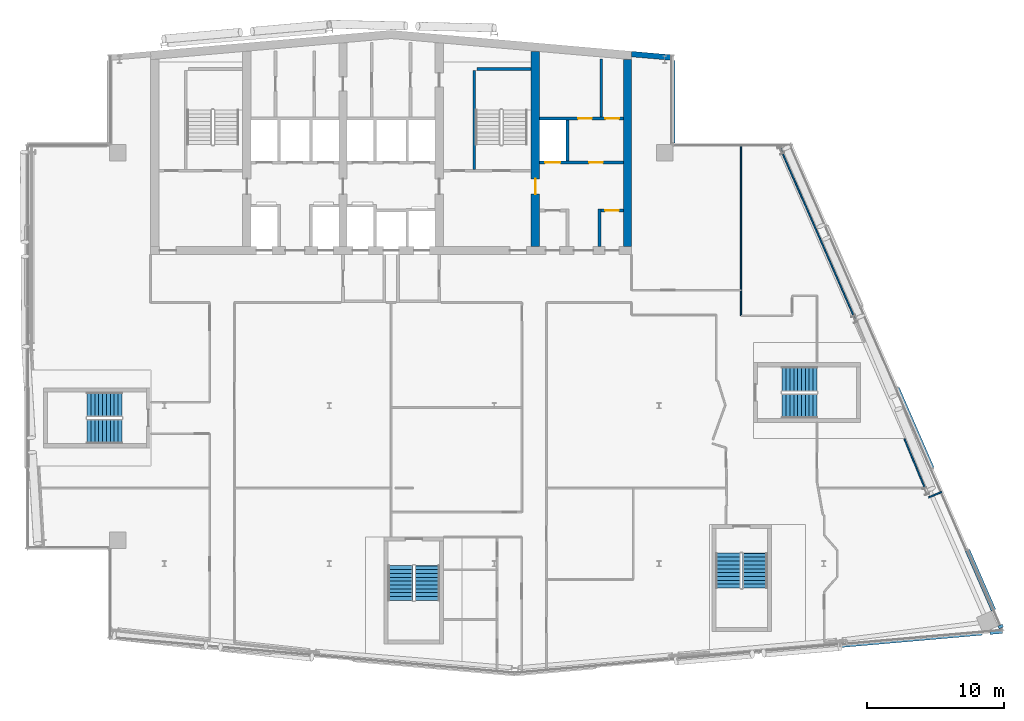
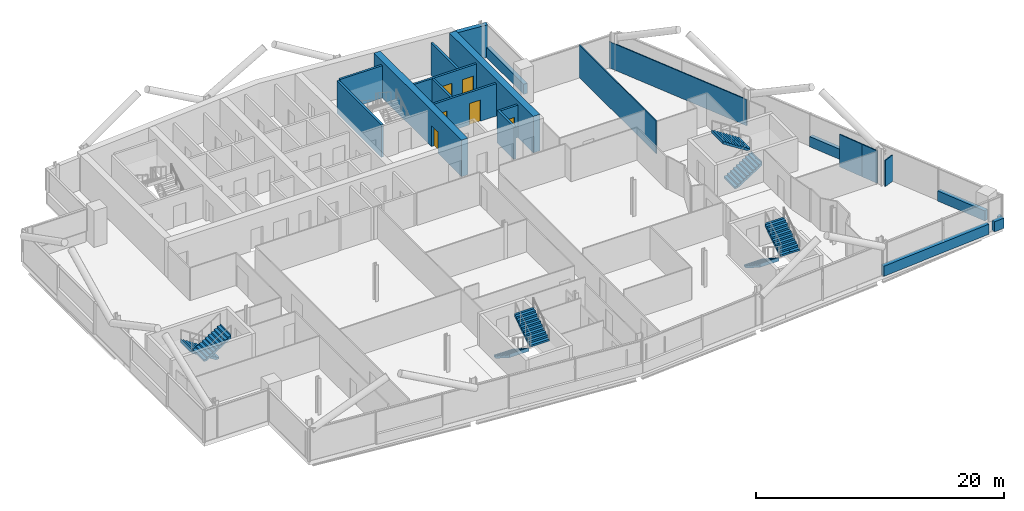
# One storey, part 20 of 28: 22 walls, 8 stair flights, 6 doors, 6 openings, 4 elements without a shape of their own.
"""IFC4 building model written with IfcOpenShell, lengths in metres."""

from ifc_helpers import new_model, si_unit, direction, frame, frame_2d, origin, place, context, subcontext, project, spatial, polyline, rectangle, outline, extrude, material, layer, layer_set, type_object, element, fill, aggregate, save


model = new_model("IFC4")

# Units and contexts
model_context = context("Model", 3, precision=1e-05, world=origin(), true_north=direction((0.0, 1.0)))
body_context = subcontext(model_context, "Body", "Model", "MODEL_VIEW")
ifc_project = project(units=[si_unit("LENGTHUNIT", "METRE"), si_unit("AREAUNIT", "SQUARE_METRE"), si_unit("VOLUMEUNIT", "CUBIC_METRE"), si_unit("PLANEANGLEUNIT", "RADIAN"), si_unit("MASSUNIT", "GRAM", prefix="KILO")], contexts=[model_context])

# Site, building, storey
site_placement = place(None, origin())
site = spatial("IfcSite", under=ifc_project, at=site_placement, CompositionType="ELEMENT")
building_placement = place(site_placement, origin())
building = spatial("IfcBuilding", under=site, at=building_placement, Name="Wharfspan Tower", CompositionType="ELEMENT")
storey_placement = place(building_placement, frame((0.0, 0.0, 250.300049)))
storey = spatial("IfcBuildingStorey", under=building, at=storey_placement, Name="L63", CompositionType="ELEMENT", Elevation=250.300049)

# Wall
ifc_material_1 = material(Name="Gypsum board on steel studs", Category="steel")
ifc_layer_1 = layer(ifc_material_1, 0.100098)
ifc_layer_set_1 = layer_set([ifc_layer_1], Name="Gypsum board on steel studs")
wall_type_1 = type_object("IfcWallType", Name="Compartment wall 100 EI 60", PredefinedType="PARTITIONING", material=ifc_layer_set_1)
wall_1_placement = place(storey_placement, frame((65.969971, 29.544922, 0.0), z_axis=(0.0, 0.0, 1.0), x_axis=(0.0, 1.0, 0.0)))
element("IfcWall", 1, at=wall_1_placement, inside=storey, type_object=wall_type_1, Name="Partition L63.w050", PredefinedType="PARTITIONING", context=body_context, shape_type="SweptSolid", body=[
    extrude(rectangle(XDim=12.435059, YDim=0.100098, at=frame_2d((6.217529, 0.0))), origin(), (0.0, 0.0, 1.0), 3.199951),
])

# Wall, opening, door
ifc_material_2 = material(Name="Calcium silicate masonry", Category="masonry")
ifc_layer_2 = layer(ifc_material_2, 0.199951)
ifc_layer_set_2 = layer_set([ifc_layer_2], Name="Calcium silicate masonry")
wall_type_2 = type_object("IfcWallType", Name="Core room wall 200", PredefinedType="PARTITIONING", material=ifc_layer_set_2)
wall_2_placement = place(storey_placement, frame((55.766602, 37.199951, 0.0), z_axis=(0.0, 0.0, 1.0), x_axis=(1.0, 0.0, 0.0)))
wall_2 = element("IfcWall", 2, at=wall_2_placement, inside=storey, type_object=wall_type_2, Name="sw:L63:FR6.3", PredefinedType="PARTITIONING", context=body_context, shape_type="SweptSolid", body=[
    extrude(rectangle(XDim=1.633301, YDim=0.199951, at=frame_2d((0.81665, 0.0))), origin(), (0.0, 0.0, 1.0), 3.199951),
])
opening_1_placement = place(wall_2_placement, frame((0.31665, 0.0, 0.0)))
opening_1 = element("IfcOpeningElement", 3, at=opening_1_placement, cuts=wall_2, Name="Opening CD63.6H3", PredefinedType="OPENING", context=body_context, shape_type="SweptSolid", body=[
    extrude(rectangle(XDim=1.0, YDim=2.100098, at=frame_2d((0.5, 1.050049))), frame((0.0, 0.109863, 0.0), z_axis=(0.0, -1.0, 0.0), x_axis=(1.0, 0.0, 0.0)), (0.0, 0.0, 1.0), 0.219971),
])
ifc_material_3 = material(Name="Steel door leaf", Category="steel")
door_type_1 = type_object("IfcDoorType", Name="Core room door 1000x2100", OperationType="SINGLE_SWING_LEFT", PredefinedType="DOOR", material=ifc_material_3)
door_1_placement = place(opening_1_placement, origin())
door_1 = element("IfcDoor", 4, at=door_1_placement, inside=storey, type_object=door_type_1, Name="d:L63:6:fh6.3", OperationType="SINGLE_SWING_RIGHT", OverallHeight=2.100098, OverallWidth=1.0, PredefinedType="DOOR", context=body_context, shape_type="SweptSolid", body=[
    extrude(rectangle(XDim=1.0, YDim=2.100098, at=frame_2d((0.5, 1.050049))), frame((0.0, 0.024902, 0.0), z_axis=(0.0, -1.0, 0.0), x_axis=(1.0, 0.0, 0.0)), (0.0, 0.0, 1.0), 0.050049),
])
fill(opening_1, door_1)

# Wall
wall_3_placement = place(storey_placement, frame((55.800049, 44.0, 0.0), z_axis=(0.0, 0.0, 1.0), x_axis=(0.0, 1.0, 0.0)))
element("IfcWall", 5, at=wall_3_placement, inside=storey, type_object=wall_type_2, Name="sw:L63:RP6.1", PredefinedType="PARTITIONING", context=body_context, shape_type="SweptSolid", body=[
    extrude(rectangle(XDim=4.217529, YDim=0.199951, at=frame_2d((2.108887, 0.0))), origin(), (0.0, 0.0, 1.0), 3.199951),
])

# Wall, opening, door
ifc_material_4 = material(Name="Concrete C50/60", Category="concrete")
ifc_layer_3 = layer(ifc_material_4, 0.600098)
ifc_layer_set_3 = layer_set([ifc_layer_3], Name="Concrete C50/60")
wall_type_3 = type_object("IfcWallType", Name="Core wall 600 C50/60", PredefinedType="SHEAR", material=ifc_layer_set_3)
wall_4_placement = place(storey_placement, frame((51.0, 34.600098, 0.0), z_axis=(0.0, 0.0, 1.0), x_axis=(0.0, 1.0, 0.0)))
wall_4 = element("IfcWall", 6, at=wall_4_placement, inside=storey, type_object=wall_type_3, Name="Core cross wall X6 L63", PredefinedType="SHEAR", context=body_context, shape_type="SweptSolid", body=[
    extrude(rectangle(XDim=14.171143, YDim=0.600098, at=frame_2d((7.085449, 0.0))), origin(), (0.0, 0.0, 1.0), 3.599854),
])
opening_2_placement = place(wall_4_placement, frame((3.800049, 0.0, 0.0)))
opening_2 = element("IfcOpeningElement", 7, at=opening_2_placement, cuts=wall_4, Name="Opening CC63.6", PredefinedType="OPENING", context=body_context, shape_type="SweptSolid", body=[
    extrude(rectangle(XDim=1.100098, YDim=2.100098, at=frame_2d((0.550049, 1.050049))), frame((0.0, 0.310059, 0.0), z_axis=(0.0, -1.0, 0.0), x_axis=(1.0, 0.0, 0.0)), (0.0, 0.0, 1.0), 0.620117),
])
door_type_2 = type_object("IfcDoorType", Name="Core corridor door 1100x2100", OperationType="SINGLE_SWING_LEFT", PredefinedType="DOOR", material=ifc_material_3)
door_2_placement = place(opening_2_placement, origin())
door_2 = element("IfcDoor", 8, at=door_2_placement, inside=storey, type_object=door_type_2, Name="xd:L63:6", OperationType="SINGLE_SWING_RIGHT", OverallHeight=2.100098, OverallWidth=1.100098, PredefinedType="DOOR", context=body_context, shape_type="SweptSolid", body=[
    extrude(rectangle(XDim=1.100098, YDim=2.100098, at=frame_2d((0.550049, 1.050049))), frame((0.0, 0.024902, 0.0), z_axis=(0.0, -1.0, 0.0), x_axis=(1.0, 0.0, 0.0)), (0.0, 0.0, 1.0), 0.050049),
])
fill(opening_2, door_2)

# Wall
wall_5_placement = place(storey_placement, frame((57.699951, 34.600098, 0.0), z_axis=(0.0, 0.0, 1.0), x_axis=(0.0, 1.0, 0.0)))
element("IfcWall", 9, at=wall_5_placement, inside=storey, type_object=wall_type_3, Name="Core cross wall EW1 L63", PredefinedType="SHEAR", context=body_context, shape_type="SweptSolid", body=[
    extrude(rectangle(XDim=13.584961, YDim=0.600098, at=frame_2d((6.79248, 0.0))), origin(), (0.0, 0.0, 1.0), 3.599854),
])

# Wall, openings, doors
ifc_material_5 = material(Name="Concrete C30/37", Category="concrete")
ifc_layer_4 = layer(ifc_material_5, 0.199951)
ifc_layer_set_4 = layer_set([ifc_layer_4], Name="Concrete C30/37")
wall_type_4 = type_object("IfcWallType", Name="Lift shaft wall 200", PredefinedType="PARTITIONING", material=ifc_layer_set_4)
wall_6_placement = place(storey_placement, frame((51.300049, 40.699951, 0.0), z_axis=(0.0, 0.0, 1.0), x_axis=(1.0, 0.0, 0.0)))
wall_6 = element("IfcWall", 10, at=wall_6_placement, inside=storey, type_object=wall_type_4, Name="sw:L63:RF6", PredefinedType="PARTITIONING", context=body_context, shape_type="SweptSolid", body=[
    extrude(rectangle(XDim=6.099854, YDim=0.199951, at=frame_2d((3.049805, 0.0))), origin(), (0.0, 0.0, 1.0), 3.199951),
])
opening_3_placement = place(wall_6_placement, frame((0.416748, 0.0, 0.0)))
opening_3 = element("IfcOpeningElement", 11, at=opening_3_placement, cuts=wall_6, Name="Opening LD.LB8.L63", PredefinedType="OPENING", context=body_context, shape_type="SweptSolid", body=[
    extrude(rectangle(XDim=1.100098, YDim=2.100098, at=frame_2d((0.550049, 1.050049))), frame((0.0, 0.109863, 0.0), z_axis=(0.0, -1.0, 0.0), x_axis=(1.0, 0.0, 0.0)), (0.0, 0.0, 1.0), 0.219971),
])
opening_4_placement = place(wall_6_placement, frame((3.616699, 0.0, 0.0)))
opening_4 = element("IfcOpeningElement", 12, at=opening_4_placement, cuts=wall_6, Name="Opening CD63.6R2", PredefinedType="OPENING", context=body_context, shape_type="SweptSolid", body=[
    extrude(rectangle(XDim=1.0, YDim=2.100098, at=frame_2d((0.5, 1.050049))), frame((0.0, 0.109863, 0.0), z_axis=(0.0, -1.0, 0.0), x_axis=(1.0, 0.0, 0.0)), (0.0, 0.0, 1.0), 0.219971),
])
door_3_placement = place(opening_4_placement, origin())
door_3 = element("IfcDoor", 13, at=door_3_placement, inside=storey, type_object=door_type_1, Name="d:L63:6:rd6.2", OperationType="SINGLE_SWING_RIGHT", OverallHeight=2.100098, OverallWidth=1.0, PredefinedType="DOOR", context=body_context, shape_type="SweptSolid", body=[
    extrude(rectangle(XDim=1.0, YDim=2.100098, at=frame_2d((0.5, 1.050049))), frame((0.0, 0.024902, 0.0), z_axis=(0.0, -1.0, 0.0), x_axis=(1.0, 0.0, 0.0)), (0.0, 0.0, 1.0), 0.050049),
])
fill(opening_4, door_3)
ifc_material_6 = material(Name="Stainless steel", Category="steel")
door_type_3 = type_object("IfcDoorType", Name="Lift landing door 1100x2100", OperationType="DOUBLE_DOOR_SLIDING", PredefinedType="DOOR", material=ifc_material_6)
door_4_placement = place(opening_3_placement, origin())
door_4 = element("IfcDoor", 14, at=door_4_placement, inside=storey, type_object=door_type_3, Name="Landing door LB8 L63", OperationType="DOUBLE_DOOR_SLIDING", OverallHeight=2.100098, OverallWidth=1.100098, PredefinedType="DOOR", context=body_context, shape_type="SweptSolid", body=[
    extrude(rectangle(XDim=1.100098, YDim=2.100098, at=frame_2d((0.550049, 1.050049))), frame((0.0, 0.024902, 0.0), z_axis=(0.0, -1.0, 0.0), x_axis=(1.0, 0.0, 0.0)), (0.0, 0.0, 1.0), 0.050049),
])
fill(opening_3, door_4)

wall_7_placement = place(storey_placement, frame((51.300049, 43.899902, 0.0), z_axis=(0.0, 0.0, 1.0), x_axis=(1.0, 0.0, 0.0)))
wall_7 = element("IfcWall", 15, at=wall_7_placement, inside=storey, type_object=wall_type_4, Name="sw:L63:RR6", PredefinedType="PARTITIONING", context=body_context, shape_type="SweptSolid", body=[
    extrude(rectangle(XDim=6.099854, YDim=0.199951, at=frame_2d((3.049805, 0.0))), origin(), (0.0, 0.0, 1.0), 3.199951),
])
opening_5_placement = place(wall_7_placement, frame((2.81665, 0.0, 0.0)))
opening_5 = element("IfcOpeningElement", 16, at=opening_5_placement, cuts=wall_7, Name="Opening CD63.6S2", PredefinedType="OPENING", context=body_context, shape_type="SweptSolid", body=[
    extrude(rectangle(XDim=1.0, YDim=2.100098, at=frame_2d((0.5, 1.050049))), frame((0.0, 0.109863, 0.0), z_axis=(0.0, -1.0, 0.0), x_axis=(1.0, 0.0, 0.0)), (0.0, 0.0, 1.0), 0.219971),
])
opening_6_placement = place(wall_7_placement, frame((4.800049, 0.0, 0.0)))
opening_6 = element("IfcOpeningElement", 17, at=opening_6_placement, cuts=wall_7, Name="Opening CD63.6S2a", PredefinedType="OPENING", context=body_context, shape_type="SweptSolid", body=[
    extrude(rectangle(XDim=1.0, YDim=2.100098, at=frame_2d((0.5, 1.050049))), frame((0.0, 0.109863, 0.0), z_axis=(0.0, -1.0, 0.0), x_axis=(1.0, 0.0, 0.0)), (0.0, 0.0, 1.0), 0.219971),
])
door_5_placement = place(opening_5_placement, origin())
door_5 = element("IfcDoor", 18, at=door_5_placement, inside=storey, type_object=door_type_1, Name="d:L63:6:rs6.2", OperationType="SINGLE_SWING_LEFT", OverallHeight=2.100098, OverallWidth=1.0, PredefinedType="DOOR", context=body_context, shape_type="SweptSolid", body=[
    extrude(rectangle(XDim=1.0, YDim=2.100098, at=frame_2d((0.5, 1.050049))), frame((0.0, 0.024902, 0.0), z_axis=(0.0, -1.0, 0.0), x_axis=(1.0, 0.0, 0.0)), (0.0, 0.0, 1.0), 0.050049),
])
fill(opening_5, door_5)
door_6_placement = place(opening_6_placement, origin())
door_6 = element("IfcDoor", 19, at=door_6_placement, inside=storey, type_object=door_type_1, Name="d:L63:6:rs6.2a", OperationType="SINGLE_SWING_LEFT", OverallHeight=2.100098, OverallWidth=1.0, PredefinedType="DOOR", context=body_context, shape_type="SweptSolid", body=[
    extrude(rectangle(XDim=1.0, YDim=2.100098, at=frame_2d((0.5, 1.050049))), frame((0.0, 0.024902, 0.0), z_axis=(0.0, -1.0, 0.0), x_axis=(1.0, 0.0, 0.0)), (0.0, 0.0, 1.0), 0.050049),
])
fill(opening_6, door_6)

# Walls
wall_8_placement = place(storey_placement, frame((0.0, 0.0, -0.000244)))
element("IfcWall", 20, at=wall_8_placement, inside=storey, type_object=wall_type_4, Name="sw:L63:FM6.1", PredefinedType="PARTITIONING", context=body_context, shape_type="SweptSolid", body=[
    extrude(outline(polyline([(55.56665, 34.600098), (55.56665, 37.300049), (55.766602, 37.300049), (55.766602, 34.600098), (55.56665, 34.600098)])), origin(), (0.0, 0.0, 1.0), 3.200195),
])
wall_9_placement = place(storey_placement, frame((0.0, 0.0, -0.000244)))
element("IfcWall", 21, at=wall_9_placement, inside=storey, type_object=wall_type_4, Name="sw:L63:RM6.0", PredefinedType="PARTITIONING", context=body_context, shape_type="SweptSolid", body=[
    extrude(outline(polyline([(53.43335, 40.800049), (53.43335, 43.800049), (53.233398, 43.800049), (53.233398, 40.800049), (53.43335, 40.800049)])), origin(), (0.0, 0.0, 1.0), 3.200195),
])
ifc_layer_5 = layer(ifc_material_1, 0.100098)
ifc_layer_set_5 = layer_set([ifc_layer_5], Name="Gypsum board on steel studs")
wall_type_5 = type_object("IfcWallType", Name="Partition 100", PredefinedType="PARTITIONING", material=ifc_layer_set_5)
wall_10_placement = place(storey_placement, frame((74.264893, 29.310059, 0.0), z_axis=(0.0, 0.0, 1.0), x_axis=(-0.400709, 0.916209, 0.0)))
element("IfcWall", 22, at=wall_10_placement, inside=storey, type_object=wall_type_5, Name="Partition L63.w066", PredefinedType="PARTITIONING", context=body_context, shape_type="SweptSolid", body=[
    extrude(rectangle(XDim=13.828613, YDim=0.100098, at=frame_2d((6.914307, 0.0))), origin(), (0.0, 0.0, 1.0), 2.579834),
])
wall_11_placement = place(storey_placement, frame((78.75, 18.445068, 0.0), z_axis=(0.0, 0.0, 1.0), x_axis=(-0.381663, 0.924299, 0.0)))
element("IfcWall", 23, at=wall_11_placement, inside=storey, type_object=wall_type_5, Name="Partition L63.w068", PredefinedType="PARTITIONING", context=body_context, shape_type="SweptSolid", body=[
    extrude(rectangle(XDim=2.309814, YDim=0.100098, at=frame_2d((1.154785, 0.0))), origin(), (0.0, 0.0, 1.0), 3.199951),
])
wall_12_placement = place(storey_placement, frame((79.350098, 17.004883, 0.0), z_axis=(0.0, 0.0, 1.0), x_axis=(-0.383703, 0.923459, 0.0)))
element("IfcWall", 24, at=wall_12_placement, inside=storey, type_object=wall_type_5, Name="Partition L63.w069", PredefinedType="PARTITIONING", context=body_context, shape_type="SweptSolid", body=[
    extrude(rectangle(XDim=1.537842, YDim=0.100098, at=frame_2d((0.769043, 0.0))), origin(), (0.0, 0.0, 1.0), 3.199951),
])
wall_13_placement = place(storey_placement, frame((79.629883, 16.314941, 0.0), z_axis=(0.0, 0.0, 1.0), x_axis=(0.918616, 0.395147, 0.0)))
element("IfcWall", 25, at=wall_13_placement, inside=storey, type_object=wall_type_5, Name="Partition L63.w070", PredefinedType="PARTITIONING", context=body_context, shape_type="SweptSolid", body=[
    extrude(rectangle(XDim=1.03125, YDim=0.100098, at=frame_2d((0.515625, 0.0))), origin(), (0.0, 0.0, 1.0), 2.579834),
])
ifc_material_7 = material(Name="Concrete C40/50", Category="concrete")
ifc_layer_6 = layer(ifc_material_7, 0.350098)
ifc_layer_set_6 = layer_set([ifc_layer_6], Name="Concrete C40/50")
wall_type_6 = type_object("IfcWallType", Name="SPANDREL EXPOSED CONCRETE 350", PredefinedType="SOLIDWALL", material=ifc_layer_set_6)
wall_14_placement = place(storey_placement, frame((73.197021, 5.562256, 0.0), z_axis=(0.0, 0.0, 1.0), x_axis=(0.996198, 0.087163, 0.0)))
element("IfcWall", 26, at=wall_14_placement, inside=storey, type_object=wall_type_6, Name="Spandrel upstand L63 S2 2", PredefinedType="SOLIDWALL", context=body_context, shape_type="SweptSolid", body=[
    extrude(rectangle(XDim=10.35791, YDim=0.350098, at=frame_2d((5.178955, 0.0))), origin(), (0.0, 0.0, 1.0), 1.0),
])
wall_15_placement = place(storey_placement, frame((84.077637, 6.514404, 0.0), z_axis=(0.0, 0.0, 1.0), x_axis=(0.996213, 0.086971, 0.0)))
element("IfcWall", 27, at=wall_15_placement, inside=storey, type_object=wall_type_6, Name="Spandrel upstand L63 S2 3", PredefinedType="SOLIDWALL", context=body_context, shape_type="SweptSolid", body=[
    extrude(rectangle(XDim=0.92627, YDim=0.350098, at=frame_2d((0.463135, 0.0))), origin(), (0.0, 0.0, 1.0), 1.0),
])
wall_16_placement = place(storey_placement, frame((84.9104, 6.818604, 0.0), z_axis=(0.0, 0.0, 1.0), x_axis=(-0.398359, 0.91723, 0.0)))
element("IfcWall", 28, at=wall_16_placement, inside=storey, type_object=wall_type_6, Name="Spandrel upstand L63 E 1", PredefinedType="SOLIDWALL", context=body_context, shape_type="SweptSolid", body=[
    extrude(rectangle(XDim=0.21875, YDim=0.350098, at=frame_2d((0.109375, 0.0))), origin(), (0.0, 0.0, 1.0), 1.0),
])
wall_17_placement = place(storey_placement, frame((84.344727, 8.119873, 0.0), z_axis=(0.0, 0.0, 1.0), x_axis=(-0.398736, 0.917067, 0.0)))
element("IfcWall", 29, at=wall_17_placement, inside=storey, type_object=wall_type_6, Name="Spandrel upstand L63 E 2", PredefinedType="SOLIDWALL", context=body_context, shape_type="SweptSolid", body=[
    extrude(rectangle(XDim=4.748291, YDim=0.350098, at=frame_2d((2.374023, 0.0))), origin(), (0.0, 0.0, 1.0), 1.0),
])
wall_18_placement = place(storey_placement, frame((79.862305, 18.429443, 0.0), z_axis=(0.0, 0.0, 1.0), x_axis=(-0.398755, 0.91706, 0.0)))
element("IfcWall", 30, at=wall_18_placement, inside=storey, type_object=wall_type_6, Name="Spandrel upstand L63 E 3", PredefinedType="SOLIDWALL", context=body_context, shape_type="SweptSolid", body=[
    extrude(rectangle(XDim=6.373535, YDim=0.350098, at=frame_2d((3.186768, 0.0))), origin(), (0.0, 0.0, 1.0), 1.0),
])
wall_19_placement = place(storey_placement, frame((61.004883, 42.120117, 0.0), z_axis=(0.0, 0.0, 1.0), x_axis=(0.0, 1.0, 0.0)))
element("IfcWall", 31, at=wall_19_placement, inside=storey, type_object=wall_type_6, Name="Spandrel upstand L63 NRE-V", PredefinedType="SOLIDWALL", context=body_context, shape_type="SweptSolid", body=[
    extrude(rectangle(XDim=6.006348, YDim=0.350098, at=frame_2d((3.003174, 0.0))), origin(), (0.0, 0.0, 1.0), 1.0),
])
ifc_layer_7 = layer(ifc_material_7, 0.199951)
ifc_layer_set_7 = layer_set([ifc_layer_7], Name="Concrete C40/50")
wall_type_7 = type_object("IfcWallType", Name="Stair shaft wall 200", PredefinedType="SHEAR", material=ifc_layer_set_7)
wall_20_placement = place(storey_placement, frame((46.550049, 40.199951, 0.0), z_axis=(0.0, 0.0, 1.0), x_axis=(0.0, 1.0, 0.0)))
element("IfcWall", 32, at=wall_20_placement, inside=storey, type_object=wall_type_7, Name="ST2 stair enclosure wall L63", PredefinedType="SHEAR", context=body_context, shape_type="SweptSolid", body=[
    extrude(rectangle(XDim=7.199951, YDim=0.199951, at=frame_2d((3.600098, 0.0))), origin(), (0.0, 0.0, 1.0), 3.199951),
])
wall_21_placement = place(storey_placement, frame((46.75, 47.5, 0.0), z_axis=(0.0, 0.0, 1.0), x_axis=(1.0, 0.0, 0.0)))
element("IfcWall", 33, at=wall_21_placement, inside=storey, type_object=wall_type_7, Name="ST2 stair enclosure wall L63", PredefinedType="SHEAR", context=body_context, shape_type="SweptSolid", body=[
    extrude(rectangle(XDim=3.949951, YDim=0.199951, at=frame_2d((1.975098, 0.0))), origin(), (0.0, 0.0, 1.0), 3.199951),
])
ifc_layer_8 = layer(ifc_material_7, 0.399902)
ifc_layer_set_8 = layer_set([ifc_layer_8], Name="Concrete C40/50")
wall_type_8 = type_object("IfcWallType", Name="WALL EXPOSED CONCRETE 400", PredefinedType="SOLIDWALL", material=ifc_layer_set_8)
wall_22_placement = place(storey_placement, frame((60.982666, 48.325684, 0.0), z_axis=(0.0, 0.0, 1.0), x_axis=(-0.996194, 0.087168, 0.0)))
element("IfcWall", 34, at=wall_22_placement, inside=storey, type_object=wall_type_8, Name="Rear wall N2", PredefinedType="SOLIDWALL", context=body_context, shape_type="SweptSolid", body=[
    extrude(rectangle(XDim=2.994141, YDim=0.399902, at=frame_2d((1.49707, 0.0))), origin(), (0.0, 0.0, 1.0), 3.199951),
])

# Stair, stair flights
stair_type = type_object("IfcStairType", Name="Half-turn stair 20 risers 180 mm", PredefinedType="HALF_TURN_STAIR", material=ifc_material_7)
stair_1_placement = place(storey_placement, origin())
stair_1 = element("IfcStair", 35, at=stair_1_placement, inside=storey, type_object=stair_type, Name="L63 stair ST3", PredefinedType="HALF_TURN_STAIR")
stair_flight_type = type_object("IfcStairFlightType", Name="Stair flight 20 risers 180 mm", PredefinedType="STRAIGHT", material=ifc_material_7)
stair_flight_1_placement = place(storey_placement, frame((20.899902, 23.074951, 0.0), z_axis=(0.0, 0.0, 1.0), x_axis=(-1.0, 0.0, 0.0)))
stair_flight_1 = element("IfcStairFlight", 36, at=stair_flight_1_placement, type_object=stair_flight_type, Name="ST3 flight 1", NumberOfRisers=10, NumberOfTreads=9, PredefinedType="STRAIGHT", RiserHeight=0.18, TreadLength=0.28, context=body_context, shape_type="SweptSolid", body=[
    extrude(outline(polyline([(-0.011963, 0.0), (-0.011963, 0.179932), (0.0, 0.179932), (0.280029, 0.179932), (0.280029, 0.360107), (0.560059, 0.360107), (0.560059, 0.540039), (0.840088, 0.540039), (0.840088, 0.719971), (1.120117, 0.719971), (1.120117, 0.899902), (1.399902, 0.899902), (1.399902, 1.080078), (1.679932, 1.080078), (1.679932, 1.26001), (1.959961, 1.26001), (1.959961, 1.439941), (2.23999, 1.439941), (2.23999, 1.620117), (2.52002, 1.620117), (2.531982, 1.800049), (2.531982, 1.441895), (0.2771, 0.0), (-0.011963, 0.0)])), frame((0.0, 0.899902, 0.0), z_axis=(0.0, -1.0, 0.0), x_axis=(1.0, 0.0, 0.0)), (0.0, 0.0, 1.0), 0.899414),
    extrude(outline(polyline([(-0.011963, 0.0), (-0.011963, 0.179932), (0.0, 0.179932), (0.280029, 0.179932), (0.280029, 0.360107), (0.560059, 0.360107), (0.560059, 0.540039), (0.840088, 0.540039), (0.840088, 0.719971), (1.120117, 0.719971), (1.120117, 0.899902), (1.399902, 0.899902), (1.399902, 1.080078), (1.679932, 1.080078), (1.679932, 1.26001), (1.959961, 1.26001), (1.959961, 1.439941), (2.23999, 1.439941), (2.23999, 1.620117), (2.52002, 1.620117), (2.531982, 1.800049), (2.531982, 1.441895), (0.2771, 0.0), (-0.011963, 0.0)])), frame((0.0, -0.000488, 0.0), z_axis=(0.0, -1.0, 0.0), x_axis=(1.0, 0.0, 0.0)), (0.0, 0.0, 1.0), 0.899414),
])
stair_flight_2_placement = place(storey_placement, frame((18.379883, 21.125, 1.800049), z_axis=(0.0, 0.0, 1.0), x_axis=(1.0, 0.0, 0.0)))
stair_flight_2 = element("IfcStairFlight", 37, at=stair_flight_2_placement, type_object=stair_flight_type, Name="ST3 flight 2", NumberOfRisers=10, NumberOfTreads=9, PredefinedType="STRAIGHT", RiserHeight=0.18, TreadLength=0.28, context=body_context, shape_type="SweptSolid", body=[
    extrude(outline(polyline([(-0.011963, 0.0), (-0.011963, 0.179932), (0.0, 0.179932), (0.280029, 0.179932), (0.280029, 0.360107), (0.560059, 0.360107), (0.560059, 0.540039), (0.840088, 0.540039), (0.840088, 0.719971), (1.120117, 0.719971), (1.120117, 0.899902), (1.399902, 0.899902), (1.399902, 1.080078), (1.679932, 1.080078), (1.679932, 1.26001), (1.959961, 1.26001), (1.959961, 1.439941), (2.23999, 1.439941), (2.23999, 1.620117), (2.52002, 1.620117), (2.531982, 1.800049), (2.531982, 1.441895), (0.2771, 0.0), (-0.011963, 0.0)])), frame((0.0, 0.899902, 0.0), z_axis=(0.0, -1.0, 0.0), x_axis=(1.0, 0.0, 0.0)), (0.0, 0.0, 1.0), 0.899414),
    extrude(outline(polyline([(-0.011963, 0.0), (-0.011963, 0.179932), (0.0, 0.179932), (0.280029, 0.179932), (0.280029, 0.360107), (0.560059, 0.360107), (0.560059, 0.540039), (0.840088, 0.540039), (0.840088, 0.719971), (1.120117, 0.719971), (1.120117, 0.899902), (1.399902, 0.899902), (1.399902, 1.080078), (1.679932, 1.080078), (1.679932, 1.26001), (1.959961, 1.26001), (1.959961, 1.439941), (2.23999, 1.439941), (2.23999, 1.620117), (2.52002, 1.620117), (2.531982, 1.800049), (2.531982, 1.441895), (0.2771, 0.0), (-0.011963, 0.0)])), frame((0.0, -0.000488, 0.0), z_axis=(0.0, -1.0, 0.0), x_axis=(1.0, 0.0, 0.0)), (0.0, 0.0, 1.0), 0.899414),
])
aggregate(stair_1, [stair_flight_1, stair_flight_2])

stair_2_placement = place(storey_placement, origin())
stair_2 = element("IfcStair", 38, at=stair_2_placement, inside=storey, type_object=stair_type, Name="L63 stair ST4", PredefinedType="HALF_TURN_STAIR")
stair_flight_3_placement = place(storey_placement, frame((41.177002, 11.343262, 0.0), z_axis=(0.0, 0.0, 1.0), x_axis=(0.0, -1.0, 0.0)))
stair_flight_3 = element("IfcStairFlight", 39, at=stair_flight_3_placement, type_object=stair_flight_type, Name="ST4 flight 1", NumberOfRisers=10, NumberOfTreads=9, PredefinedType="STRAIGHT", RiserHeight=0.18, TreadLength=0.28, context=body_context, shape_type="SweptSolid", body=[
    extrude(outline(polyline([(-0.011963, 0.0), (-0.011963, 0.179932), (0.0, 0.179932), (0.280029, 0.179932), (0.280029, 0.360107), (0.560059, 0.360107), (0.560059, 0.540039), (0.840088, 0.540039), (0.840088, 0.719971), (1.120117, 0.719971), (1.120117, 0.899902), (1.399902, 0.899902), (1.399902, 1.080078), (1.679932, 1.080078), (1.679932, 1.26001), (1.959961, 1.26001), (1.959961, 1.439941), (2.23999, 1.439941), (2.23999, 1.620117), (2.52002, 1.620117), (2.531982, 1.800049), (2.531982, 1.441895), (0.2771, 0.0), (-0.011963, 0.0)])), frame((0.0, 0.899902, 0.0), z_axis=(0.0, -1.0, 0.0), x_axis=(1.0, 0.0, 0.0)), (0.0, 0.0, 1.0), 0.899414),
    extrude(outline(polyline([(-0.011963, 0.0), (-0.011963, 0.179932), (0.0, 0.179932), (0.280029, 0.179932), (0.280029, 0.360107), (0.560059, 0.360107), (0.560059, 0.540039), (0.840088, 0.540039), (0.840088, 0.719971), (1.120117, 0.719971), (1.120117, 0.899902), (1.399902, 0.899902), (1.399902, 1.080078), (1.679932, 1.080078), (1.679932, 1.26001), (1.959961, 1.26001), (1.959961, 1.439941), (2.23999, 1.439941), (2.23999, 1.620117), (2.52002, 1.620117), (2.531982, 1.800049), (2.531982, 1.441895), (0.2771, 0.0), (-0.011963, 0.0)])), frame((0.0, -0.000488, 0.0), z_axis=(0.0, -1.0, 0.0), x_axis=(1.0, 0.0, 0.0)), (0.0, 0.0, 1.0), 0.899414),
])
stair_flight_4_placement = place(storey_placement, frame((43.127197, 8.823242, 1.800049), z_axis=(0.0, 0.0, 1.0), x_axis=(0.0, 1.0, 0.0)))
stair_flight_4 = element("IfcStairFlight", 40, at=stair_flight_4_placement, type_object=stair_flight_type, Name="ST4 flight 2", NumberOfRisers=10, NumberOfTreads=9, PredefinedType="STRAIGHT", RiserHeight=0.18, TreadLength=0.28, context=body_context, shape_type="SweptSolid", body=[
    extrude(outline(polyline([(-0.011963, 0.0), (-0.011963, 0.179932), (0.0, 0.179932), (0.280029, 0.179932), (0.280029, 0.360107), (0.560059, 0.360107), (0.560059, 0.540039), (0.840088, 0.540039), (0.840088, 0.719971), (1.120117, 0.719971), (1.120117, 0.899902), (1.399902, 0.899902), (1.399902, 1.080078), (1.679932, 1.080078), (1.679932, 1.26001), (1.959961, 1.26001), (1.959961, 1.439941), (2.23999, 1.439941), (2.23999, 1.620117), (2.52002, 1.620117), (2.531982, 1.800049), (2.531982, 1.441895), (0.2771, 0.0), (-0.011963, 0.0)])), frame((0.0, 0.899902, 0.0), z_axis=(0.0, -1.0, 0.0), x_axis=(1.0, 0.0, 0.0)), (0.0, 0.0, 1.0), 0.899414),
    extrude(outline(polyline([(-0.011963, 0.0), (-0.011963, 0.179932), (0.0, 0.179932), (0.280029, 0.179932), (0.280029, 0.360107), (0.560059, 0.360107), (0.560059, 0.540039), (0.840088, 0.540039), (0.840088, 0.719971), (1.120117, 0.719971), (1.120117, 0.899902), (1.399902, 0.899902), (1.399902, 1.080078), (1.679932, 1.080078), (1.679932, 1.26001), (1.959961, 1.26001), (1.959961, 1.439941), (2.23999, 1.439941), (2.23999, 1.620117), (2.52002, 1.620117), (2.531982, 1.800049), (2.531982, 1.441895), (0.2771, 0.0), (-0.011963, 0.0)])), frame((0.0, -0.000488, 0.0), z_axis=(0.0, -1.0, 0.0), x_axis=(1.0, 0.0, 0.0)), (0.0, 0.0, 1.0), 0.899414),
])
aggregate(stair_2, [stair_flight_3, stair_flight_4])

stair_3_placement = place(storey_placement, origin())
stair_3 = element("IfcStair", 41, at=stair_3_placement, inside=storey, type_object=stair_type, Name="L63 stair ST5", PredefinedType="HALF_TURN_STAIR")
stair_flight_5_placement = place(storey_placement, frame((65.043701, 12.246094, 0.0), z_axis=(0.0, 0.0, 1.0), x_axis=(0.0, -1.0, 0.0)))
stair_flight_5 = element("IfcStairFlight", 42, at=stair_flight_5_placement, type_object=stair_flight_type, Name="ST5 flight 1", NumberOfRisers=10, NumberOfTreads=9, PredefinedType="STRAIGHT", RiserHeight=0.18, TreadLength=0.28, context=body_context, shape_type="SweptSolid", body=[
    extrude(outline(polyline([(-0.011963, 0.0), (-0.011963, 0.179932), (0.0, 0.179932), (0.280029, 0.179932), (0.280029, 0.360107), (0.560059, 0.360107), (0.560059, 0.540039), (0.840088, 0.540039), (0.840088, 0.719971), (1.120117, 0.719971), (1.120117, 0.899902), (1.399902, 0.899902), (1.399902, 1.080078), (1.679932, 1.080078), (1.679932, 1.26001), (1.959961, 1.26001), (1.959961, 1.439941), (2.23999, 1.439941), (2.23999, 1.620117), (2.52002, 1.620117), (2.531982, 1.800049), (2.531982, 1.441895), (0.2771, 0.0), (-0.011963, 0.0)])), frame((0.0, 0.899902, 0.0), z_axis=(0.0, -1.0, 0.0), x_axis=(1.0, 0.0, 0.0)), (0.0, 0.0, 1.0), 0.899414),
    extrude(outline(polyline([(-0.011963, 0.0), (-0.011963, 0.179932), (0.0, 0.179932), (0.280029, 0.179932), (0.280029, 0.360107), (0.560059, 0.360107), (0.560059, 0.540039), (0.840088, 0.540039), (0.840088, 0.719971), (1.120117, 0.719971), (1.120117, 0.899902), (1.399902, 0.899902), (1.399902, 1.080078), (1.679932, 1.080078), (1.679932, 1.26001), (1.959961, 1.26001), (1.959961, 1.439941), (2.23999, 1.439941), (2.23999, 1.620117), (2.52002, 1.620117), (2.531982, 1.800049), (2.531982, 1.441895), (0.2771, 0.0), (-0.011963, 0.0)])), frame((0.0, -0.000488, 0.0), z_axis=(0.0, -1.0, 0.0), x_axis=(1.0, 0.0, 0.0)), (0.0, 0.0, 1.0), 0.899414),
])
stair_flight_6_placement = place(storey_placement, frame((66.993896, 9.726074, 1.800049), z_axis=(0.0, 0.0, 1.0), x_axis=(0.0, 1.0, 0.0)))
stair_flight_6 = element("IfcStairFlight", 43, at=stair_flight_6_placement, type_object=stair_flight_type, Name="ST5 flight 2", NumberOfRisers=10, NumberOfTreads=9, PredefinedType="STRAIGHT", RiserHeight=0.18, TreadLength=0.28, context=body_context, shape_type="SweptSolid", body=[
    extrude(outline(polyline([(-0.011963, 0.0), (-0.011963, 0.179932), (0.0, 0.179932), (0.280029, 0.179932), (0.280029, 0.360107), (0.560059, 0.360107), (0.560059, 0.540039), (0.840088, 0.540039), (0.840088, 0.719971), (1.120117, 0.719971), (1.120117, 0.899902), (1.399902, 0.899902), (1.399902, 1.080078), (1.679932, 1.080078), (1.679932, 1.26001), (1.959961, 1.26001), (1.959961, 1.439941), (2.23999, 1.439941), (2.23999, 1.620117), (2.52002, 1.620117), (2.531982, 1.800049), (2.531982, 1.441895), (0.2771, 0.0), (-0.011963, 0.0)])), frame((0.0, 0.899902, 0.0), z_axis=(0.0, -1.0, 0.0), x_axis=(1.0, 0.0, 0.0)), (0.0, 0.0, 1.0), 0.899414),
    extrude(outline(polyline([(-0.011963, 0.0), (-0.011963, 0.179932), (0.0, 0.179932), (0.280029, 0.179932), (0.280029, 0.360107), (0.560059, 0.360107), (0.560059, 0.540039), (0.840088, 0.540039), (0.840088, 0.719971), (1.120117, 0.719971), (1.120117, 0.899902), (1.399902, 0.899902), (1.399902, 1.080078), (1.679932, 1.080078), (1.679932, 1.26001), (1.959961, 1.26001), (1.959961, 1.439941), (2.23999, 1.439941), (2.23999, 1.620117), (2.52002, 1.620117), (2.531982, 1.800049), (2.531982, 1.441895), (0.2771, 0.0), (-0.011963, 0.0)])), frame((0.0, -0.000488, 0.0), z_axis=(0.0, -1.0, 0.0), x_axis=(1.0, 0.0, 0.0)), (0.0, 0.0, 1.0), 0.899414),
])
aggregate(stair_3, [stair_flight_5, stair_flight_6])

stair_4_placement = place(storey_placement, origin())
stair_4 = element("IfcStair", 44, at=stair_4_placement, inside=storey, type_object=stair_type, Name="L63 stair ST6", PredefinedType="HALF_TURN_STAIR")
stair_flight_7_placement = place(storey_placement, frame((68.969482, 22.975098, 0.0), z_axis=(0.0, 0.0, 1.0), x_axis=(1.0, 0.0, 0.0)))
stair_flight_7 = element("IfcStairFlight", 45, at=stair_flight_7_placement, type_object=stair_flight_type, Name="ST6 flight 1", NumberOfRisers=10, NumberOfTreads=9, PredefinedType="STRAIGHT", RiserHeight=0.18, TreadLength=0.28, context=body_context, shape_type="SweptSolid", body=[
    extrude(outline(polyline([(-0.011963, 0.0), (-0.011963, 0.179932), (0.0, 0.179932), (0.280029, 0.179932), (0.280029, 0.360107), (0.560059, 0.360107), (0.560059, 0.540039), (0.840088, 0.540039), (0.840088, 0.719971), (1.120117, 0.719971), (1.120117, 0.899902), (1.399902, 0.899902), (1.399902, 1.080078), (1.679932, 1.080078), (1.679932, 1.26001), (1.959961, 1.26001), (1.959961, 1.439941), (2.23999, 1.439941), (2.23999, 1.620117), (2.52002, 1.620117), (2.531982, 1.800049), (2.531982, 1.441895), (0.2771, 0.0), (-0.011963, 0.0)])), frame((0.0, 0.899902, 0.0), z_axis=(0.0, -1.0, 0.0), x_axis=(1.0, 0.0, 0.0)), (0.0, 0.0, 1.0), 0.899414),
    extrude(outline(polyline([(-0.011963, 0.0), (-0.011963, 0.179932), (0.0, 0.179932), (0.280029, 0.179932), (0.280029, 0.360107), (0.560059, 0.360107), (0.560059, 0.540039), (0.840088, 0.540039), (0.840088, 0.719971), (1.120117, 0.719971), (1.120117, 0.899902), (1.399902, 0.899902), (1.399902, 1.080078), (1.679932, 1.080078), (1.679932, 1.26001), (1.959961, 1.26001), (1.959961, 1.439941), (2.23999, 1.439941), (2.23999, 1.620117), (2.52002, 1.620117), (2.531982, 1.800049), (2.531982, 1.441895), (0.2771, 0.0), (-0.011963, 0.0)])), frame((0.0, -0.000488, 0.0), z_axis=(0.0, -1.0, 0.0), x_axis=(1.0, 0.0, 0.0)), (0.0, 0.0, 1.0), 0.899414),
])
stair_flight_8_placement = place(storey_placement, frame((71.489502, 24.925049, 1.800049), z_axis=(0.0, 0.0, 1.0), x_axis=(-1.0, 0.0, 0.0)))
stair_flight_8 = element("IfcStairFlight", 46, at=stair_flight_8_placement, type_object=stair_flight_type, Name="ST6 flight 2", NumberOfRisers=10, NumberOfTreads=9, PredefinedType="STRAIGHT", RiserHeight=0.18, TreadLength=0.28, context=body_context, shape_type="SweptSolid", body=[
    extrude(outline(polyline([(-0.011963, 0.0), (-0.011963, 0.179932), (0.0, 0.179932), (0.280029, 0.179932), (0.280029, 0.360107), (0.560059, 0.360107), (0.560059, 0.540039), (0.840088, 0.540039), (0.840088, 0.719971), (1.120117, 0.719971), (1.120117, 0.899902), (1.399902, 0.899902), (1.399902, 1.080078), (1.679932, 1.080078), (1.679932, 1.26001), (1.959961, 1.26001), (1.959961, 1.439941), (2.23999, 1.439941), (2.23999, 1.620117), (2.52002, 1.620117), (2.531982, 1.800049), (2.531982, 1.441895), (0.2771, 0.0), (-0.011963, 0.0)])), frame((0.0, 0.899902, 0.0), z_axis=(0.0, -1.0, 0.0), x_axis=(1.0, 0.0, 0.0)), (0.0, 0.0, 1.0), 0.899414),
    extrude(outline(polyline([(-0.011963, 0.0), (-0.011963, 0.179932), (0.0, 0.179932), (0.280029, 0.179932), (0.280029, 0.360107), (0.560059, 0.360107), (0.560059, 0.540039), (0.840088, 0.540039), (0.840088, 0.719971), (1.120117, 0.719971), (1.120117, 0.899902), (1.399902, 0.899902), (1.399902, 1.080078), (1.679932, 1.080078), (1.679932, 1.26001), (1.959961, 1.26001), (1.959961, 1.439941), (2.23999, 1.439941), (2.23999, 1.620117), (2.52002, 1.620117), (2.531982, 1.800049), (2.531982, 1.441895), (0.2771, 0.0), (-0.011963, 0.0)])), frame((0.0, -0.000488, 0.0), z_axis=(0.0, -1.0, 0.0), x_axis=(1.0, 0.0, 0.0)), (0.0, 0.0, 1.0), 0.899414),
])
aggregate(stair_4, [stair_flight_7, stair_flight_8])

save(model, "model.ifc")
